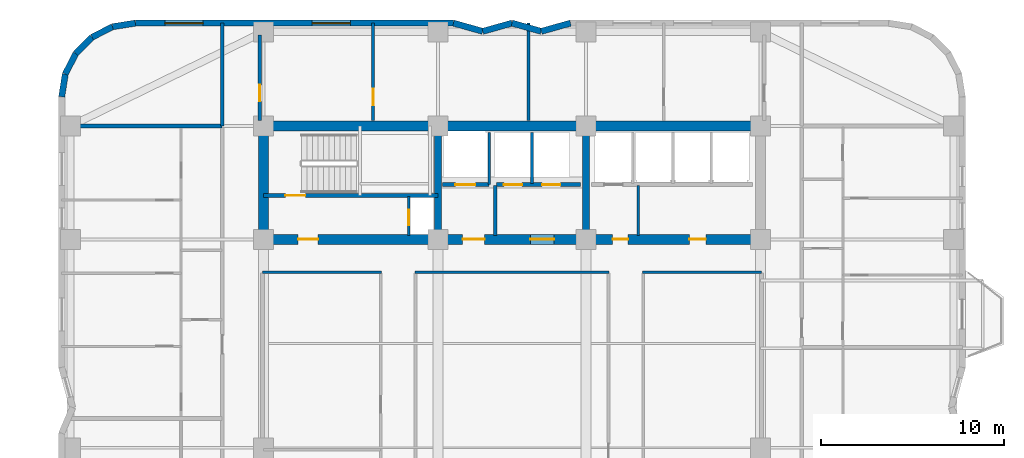
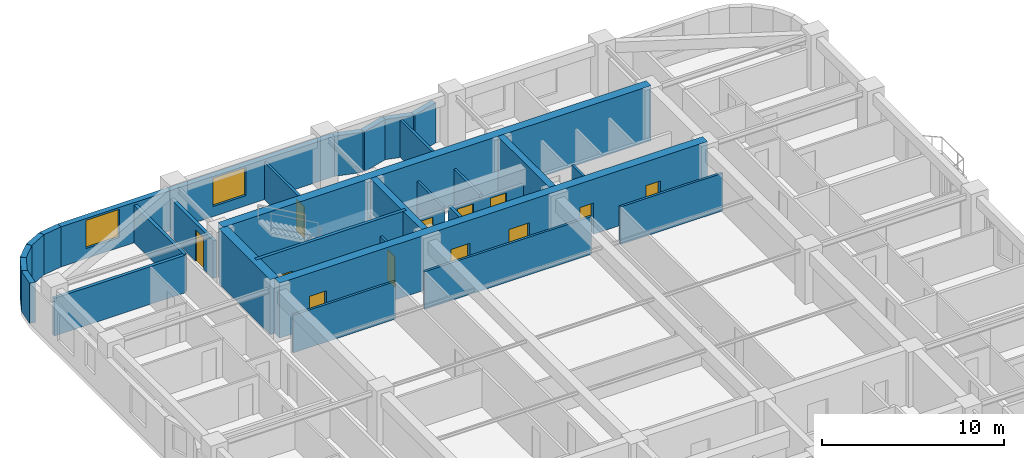
# One storey, part 6 of 9: 31 walls, 12 doors, 2 windows, 14 openings.
"""IFC4 building model written with IfcOpenShell, lengths in metres."""

import ifcopenshell
import ifcopenshell.guid

model = None  # the IFC model being written
_history = None  # IfcOwnerHistory: only IFC2X3 demands one
_inside = {}  # id of a spatial element -> (the spatial element, [elements in it])
_under = {}  # id of a project, library or spatial element -> (it, [spatial elements below it])
_declared = {}  # id of a project -> (the project, [libraries it declares])
_typed = {}  # id of a type object -> (the type object, [elements of that type])
_made_of = {}  # id of a material, layer set ... -> (it, [elements and type objects made of it])


def new_model(schema):
    """Start an empty IFC model of exactly this schema.

    Asked for "IFC4X3", IfcOpenShell would pick the latest addendum, in which some entities
    have other attributes; the version numbers below select the first issue.
    IFC2X3 requires an IfcOwnerHistory on every rooted entity: one is made here for all.
    """
    global model, _history
    if schema == "IFC4X3":
        model = ifcopenshell.file(schema_version=(4, 3, 0, 0))
    else:
        model = ifcopenshell.file(schema=schema)
    _inside.clear()
    _under.clear()
    _declared.clear()
    _typed.clear()
    _made_of.clear()
    _history = None
    if model.schema == "IFC2X3":
        org = make("IfcOrganization", Name="unknown")
        user = make(
            "IfcPersonAndOrganization",
            ThePerson=make("IfcPerson", FamilyName="unknown"),
            TheOrganization=org,
        )
        app = make(
            "IfcApplication",
            ApplicationDeveloper=org,
            Version="unknown",
            ApplicationFullName="unknown",
            ApplicationIdentifier="unknown",
        )
        _history = make(
            "IfcOwnerHistory",
            OwningUser=user,
            OwningApplication=app,
            ChangeAction="ADDED",
            CreationDate=0,
        )
    return model


def make(cls, **values):
    """One entity of the class cls with the attributes given. An attribute that is None is left unset."""
    return model.create_entity(
        cls, **{name: value for name, value in values.items() if value is not None}
    )


def rooted(cls, **values):
    """An entity with a GlobalId (a new one), such as an element, a storey or a relation."""
    return make(cls, GlobalId=ifcopenshell.guid.new(), OwnerHistory=_history, **values)


def si_unit(unit_type, name, prefix=None):
    """IfcSIUnit, for example si_unit("LENGTHUNIT", "METRE", prefix="MILLI")."""
    return make("IfcSIUnit", UnitType=unit_type, Prefix=prefix, Name=name)


def assignment(units):
    """IfcUnitAssignment: the units of a project."""
    return None if units is None else make("IfcUnitAssignment", Units=units)


def point(xyz):
    """IfcCartesianPoint."""
    return None if xyz is None else make("IfcCartesianPoint", Coordinates=xyz)


def direction(xyz):
    """IfcDirection."""
    return None if xyz is None else make("IfcDirection", DirectionRatios=xyz)


def frame(location, z_axis=None, x_axis=None):
    """IfcAxis2Placement3D, a coordinate frame: its origin and axes. An axis left out is left unset."""
    return make(
        "IfcAxis2Placement3D",
        Location=point(location),
        Axis=direction(z_axis),
        RefDirection=direction(x_axis),
    )


def frame_2d(location, x_axis=None):
    """IfcAxis2Placement2D, a coordinate frame in the plane: its origin and x axis."""
    return make(
        "IfcAxis2Placement2D", Location=point(location), RefDirection=direction(x_axis)
    )


def origin():
    """The frame at (0, 0, 0) with its axes left unset."""
    return frame((0.0, 0.0, 0.0))


def place(relative_to, where):
    """IfcLocalPlacement: puts the frame where relative to a parent placement (None: the world)."""
    return make(
        "IfcLocalPlacement", PlacementRelTo=relative_to, RelativePlacement=where
    )


def context(
    kind, dimensions, precision=None, world=None, true_north=None, identifier=None
):
    """IfcGeometricRepresentationContext, for example the 3D "Model" context."""
    return make(
        "IfcGeometricRepresentationContext",
        ContextIdentifier=identifier,
        ContextType=kind,
        CoordinateSpaceDimension=dimensions,
        Precision=precision,
        WorldCoordinateSystem=world,
        TrueNorth=true_north,
    )


def subcontext(parent, identifier, kind, view, scale=None):
    """IfcGeometricRepresentationSubContext, for example "Body" below "Model"."""
    return make(
        "IfcGeometricRepresentationSubContext",
        ContextIdentifier=identifier,
        ContextType=kind,
        ParentContext=parent,
        TargetScale=scale,
        TargetView=view,
    )


def project(units=None, contexts=None):
    """IfcProject with its units and contexts."""
    return rooted(
        "IfcProject",
        Name="project",
        RepresentationContexts=contexts,
        UnitsInContext=assignment(units),
    )


def spatial(cls, under=None, at=None, **own):
    """A site, building, storey or space (cls), placed at a placement, below another one or the project."""
    s = rooted(cls, ObjectPlacement=at, **own)
    if under is not None:
        _under.setdefault(under.id(), (under, []))[1].append(s)
    return s


def profile(cls, at=None, kind="AREA", **sizes):
    """A parametric profile (cls). Its sizes go by their IFC names, for example OverallWidth=200.0."""
    return make(cls, ProfileType=kind, Position=at, **sizes)


def rectangle(**sizes):
    """IfcRectangleProfileDef."""
    return profile("IfcRectangleProfileDef", **sizes)


def extrude(swept, where, along, depth):
    """IfcExtrudedAreaSolid: the profile swept, set in the frame where, extruded along a direction by depth."""
    return make(
        "IfcExtrudedAreaSolid",
        SweptArea=swept,
        Position=where,
        ExtrudedDirection=direction(along),
        Depth=depth,
    )


def shape(context_of_items, identifier, shape_type, items):
    """IfcShapeRepresentation: the items that make up one representation, for example the "Body"."""
    return make(
        "IfcShapeRepresentation",
        ContextOfItems=context_of_items,
        RepresentationIdentifier=identifier,
        RepresentationType=shape_type,
        Items=items,
    )


def material(Name=None, Category=None):
    """IfcMaterial."""
    return make("IfcMaterial", Name=Name, Category=Category)


def layer(
    of_material, thickness, ventilated=None, Name=None, Category=None, Priority=None
):
    """IfcMaterialLayer: one layer of a wall or slab, of a material (None: an air gap)."""
    return make(
        "IfcMaterialLayer",
        Material=of_material,
        LayerThickness=thickness,
        IsVentilated=ventilated,
        Name=Name,
        Category=Category,
        Priority=Priority,
    )


def layer_set(layers, Name=None):
    """IfcMaterialLayerSet."""
    return make("IfcMaterialLayerSet", MaterialLayers=layers, LayerSetName=Name)


def made_of(thing, what):
    """Note that an element or type object is made of a material, layer set ...; save() writes the relation."""
    if what is not None:
        _made_of.setdefault(what.id(), (what, []))[1].append(thing)
    return thing


def type_object(cls, material=None, **own):
    """A type object (cls), such as IfcWallType, which elements share."""
    return made_of(rooted(cls, **own), material)


def element(
    cls,
    number,
    at=None,
    inside=None,
    cuts=None,
    type_object=None,
    material=None,
    context=None,
    identifier="Body",
    shape_type=None,
    held_by="IfcProductDefinitionShape",
    body=None,
    shapes=None,
    **own,
):
    """One element of the class cls, such as IfcWall. Its Tag is "e" and its number.

    at: its placement. inside: the storey or other place that contains it. cuts: it is an
    opening in that element (IfcRelVoidsElement). A single representation is given by context,
    identifier, shape_type and body (its items); several are given by shapes. held_by: the class
    of the entity that holds the representations. save() writes the other relations.
    """
    e = rooted(cls, Tag="e%d" % number, ObjectPlacement=at, **own)
    if body is not None:
        shapes = [shape(context, identifier, shape_type, body)]
    if shapes is not None:
        e.Representation = make(held_by, Representations=shapes)
    if inside is not None:
        _inside.setdefault(inside.id(), (inside, []))[1].append(e)
    if cuts is not None:
        rooted(
            "IfcRelVoidsElement", RelatingBuildingElement=cuts, RelatedOpeningElement=e
        )
    if type_object is not None:
        _typed.setdefault(type_object.id(), (type_object, []))[1].append(e)
    return made_of(e, material)


def fill(opening, filler):
    """IfcRelFillsElement: the door or window that sits in an opening."""
    return rooted(
        "IfcRelFillsElement",
        RelatingOpeningElement=opening,
        RelatedBuildingElement=filler,
    )


def aggregate(whole, parts):
    """IfcRelAggregates: a whole, such as a stair, and the parts it consists of."""
    return rooted("IfcRelAggregates", RelatingObject=whole, RelatedObjects=parts)


def save(model, path):
    """Write the relations noted so far, then the file.

    IfcRelAggregates (storeys below a building ...), IfcRelContainedInSpatialStructure (elements
    in a storey), IfcRelDefinesByType, IfcRelAssociatesMaterial and IfcRelDeclares: one each for
    every whole, place, type object, material and project.
    """
    for whole, parts in _under.values():
        aggregate(whole, parts)
    for where, things in _inside.values():
        rooted(
            "IfcRelContainedInSpatialStructure",
            RelatedElements=things,
            RelatingStructure=where,
        )
    for kind, things in _typed.values():
        rooted("IfcRelDefinesByType", RelatedObjects=things, RelatingType=kind)
    for what, things in _made_of.values():
        rooted("IfcRelAssociatesMaterial", RelatedObjects=things, RelatingMaterial=what)
    for by, libraries in _declared.values():
        rooted("IfcRelDeclares", RelatingContext=by, RelatedDefinitions=libraries)
    model.write(path)


model = new_model("IFC4")

# Units and contexts
model_context = context("Model", 3, precision=1e-05, world=origin(), true_north=direction((0.0, 1.0)))
body_context = subcontext(model_context, "Body", "Model", "MODEL_VIEW")
ifc_project = project(units=[si_unit("LENGTHUNIT", "METRE"), si_unit("AREAUNIT", "SQUARE_METRE"), si_unit("VOLUMEUNIT", "CUBIC_METRE"), si_unit("PLANEANGLEUNIT", "RADIAN"), si_unit("MASSUNIT", "GRAM", prefix="KILO")], contexts=[model_context])

# Site, building, storey
site_placement = place(None, origin())
site = spatial("IfcSite", under=ifc_project, at=site_placement, CompositionType="ELEMENT")
building_placement = place(site_placement, origin())
building = spatial("IfcBuilding", under=site, at=building_placement, Name="Svetorya Sky Lyceum", CompositionType="ELEMENT")
storey_placement = place(building_placement, frame((0.0, 0.0, 88.300048828125)))
storey = spatial("IfcBuildingStorey", under=building, at=storey_placement, Name="L21", CompositionType="ELEMENT", Elevation=88.300048828125)

# Walls
ifc_material_1 = material(Name="Concrete C40/50", Category="concrete")
ifc_layer_1 = layer(ifc_material_1, 0.39990234375)
ifc_layer_set_1 = layer_set([ifc_layer_1], Name="Concrete C40/50")
wall_type_1 = type_object("IfcWallType", Name="WL-CORE-400", PredefinedType="SHEAR", material=ifc_layer_set_1)
for number, where, z_axis, x_axis, name in (
    (1, (35.14990234375, 39.875, 0.0), (0.0, 0.0, 1.0), (0.0, 1.0, 0.0), "L21 NC Internal Shear Web WEB1"),
    (2, (43.25, 39.875, 0.0), (0.0, 0.0, 1.0), (0.0, 1.0, 0.0), "L21 NC Internal Shear Web WEB2"),
):
    element("IfcWall", number, at=place(storey_placement, frame(where, z_axis=z_axis, x_axis=x_axis)), inside=storey, type_object=wall_type_1, Name=name, PredefinedType="SHEAR", context=body_context, shape_type="SweptSolid", body=[
        extrude(rectangle(XDim=5.64990234375, YDim=0.39990234375, at=frame_2d((2.824951171875, 0.0))), origin(), (0.0, 0.0, 1.0), 3.699951171875),
    ])
ifc_material_2 = material(Name="Concrete C60/75", Category="concrete")
ifc_layer_2 = layer(ifc_material_2, 0.550048828125)
ifc_layer_set_2 = layer_set([ifc_layer_2], Name="Concrete C60/75")
wall_type_2 = type_object("IfcWallType", Name="WL-CORE-550", PredefinedType="SHEAR", material=ifc_layer_set_2)
wall_1_placement = place(storey_placement, frame((25.60009765625, 45.800048828125, 0.0), z_axis=(0.0, 0.0, 1.0), x_axis=(1.0, 0.0, 0.0)))
element("IfcWall", 3, at=wall_1_placement, inside=storey, type_object=wall_type_2, Name="L21 NC Outer Core Shear Wall", PredefinedType="SHEAR", context=body_context, shape_type="SweptSolid", body=[
    extrude(rectangle(XDim=27.199951171875, YDim=0.550048828125, at=frame_2d((13.60009765625, 0.0))), origin(), (0.0, 0.0, 1.0), 3.699951171875),
])
wall_2_placement = place(storey_placement, frame((25.60009765625, 39.875, 0.0), z_axis=(0.0, 0.0, 1.0), x_axis=(0.0, 1.0, 0.0)))
element("IfcWall", 4, at=wall_2_placement, inside=storey, type_object=wall_type_2, Name="L21 NC West Core Shear Wall", PredefinedType="SHEAR", context=body_context, shape_type="SweptSolid", body=[
    extrude(rectangle(XDim=5.64990234375, YDim=0.550048828125, at=frame_2d((2.824951171875, 0.0))), origin(), (0.0, 0.0, 1.0), 3.699951171875),
])

# Wall, openings, doors
wall_3_placement = place(storey_placement, frame((52.800048828125, 39.60009765625, 0.0), z_axis=(0.0, 0.0, 1.0), x_axis=(-1.0, 0.0, 0.0)))
wall_3 = element("IfcWall", 5, at=wall_3_placement, inside=storey, type_object=wall_type_2, Name="L21 NC Inner Core Shear Wall", PredefinedType="SHEAR", context=body_context, shape_type="SweptSolid", body=[
    extrude(rectangle(XDim=27.199951171875, YDim=0.550048828125, at=frame_2d((13.60009765625, 0.0))), origin(), (0.0, 0.0, 1.0), 3.699951171875),
])
opening_1_placement = place(wall_3_placement, frame((24.199951171875, 0.0, 0.0)))
opening_1 = element("IfcOpeningElement", 6, at=opening_1_placement, cuts=wall_3, Name="Opening D-ST1", PredefinedType="OPENING", context=body_context, shape_type="SweptSolid", body=[
    extrude(rectangle(XDim=1.10009765625, YDim=2.14990234375, at=frame_2d((0.550048828125, 1.074951171875))), frame((0.0, 0.284912109375, 0.0), z_axis=(0.0, -1.0, 0.0), x_axis=(1.0, 0.0, 0.0)), (0.0, 0.0, 1.0), 0.570068359375),
])
opening_2_placement = place(wall_3_placement, frame((15.10009765625, 0.0, 0.0)))
opening_2 = element("IfcOpeningElement", 7, at=opening_2_placement, cuts=wall_3, Name="Opening D-FL1", PredefinedType="OPENING", context=body_context, shape_type="SweptSolid", body=[
    extrude(rectangle(XDim=1.199951171875, YDim=2.14990234375, at=frame_2d((0.60009765625, 1.074951171875))), frame((0.0, 0.284912109375, 0.0), z_axis=(0.0, -1.0, 0.0), x_axis=(1.0, 0.0, 0.0)), (0.0, 0.0, 1.0), 0.570068359375),
])
opening_3_placement = place(wall_3_placement, frame((11.300048828125, 0.0, 0.0)))
opening_3 = element("IfcOpeningElement", 8, at=opening_3_placement, cuts=wall_3, Name="Opening D-LB1", PredefinedType="OPENING", context=body_context, shape_type="SweptSolid", body=[
    extrude(rectangle(XDim=1.300048828125, YDim=2.199951171875, at=frame_2d((0.64990234375, 1.10009765625))), frame((0.0, 0.284912109375, 0.0), z_axis=(0.0, -1.0, 0.0), x_axis=(1.0, 0.0, 0.0)), (0.0, 0.0, 1.0), 0.570068359375),
])
opening_4_placement = place(wall_3_placement, frame((7.25, 0.0, 0.0)))
opening_4 = element("IfcOpeningElement", 9, at=opening_4_placement, cuts=wall_3, Name="Opening D-CWC1", PredefinedType="OPENING", context=body_context, shape_type="SweptSolid", body=[
    extrude(rectangle(XDim=0.85009765625, YDim=2.10009765625, at=frame_2d((0.425048828125, 1.050048828125))), frame((0.0, 0.284912109375, 0.0), z_axis=(0.0, -1.0, 0.0), x_axis=(1.0, 0.0, 0.0)), (0.0, 0.0, 1.0), 0.570068359375),
])
opening_5_placement = place(wall_3_placement, frame((3.0, 0.0, 0.0)))
opening_5 = element("IfcOpeningElement", 10, at=opening_5_placement, cuts=wall_3, Name="Opening D-RM1", PredefinedType="OPENING", context=body_context, shape_type="SweptSolid", body=[
    extrude(rectangle(XDim=0.89990234375, YDim=2.10009765625, at=frame_2d((0.449951171875, 1.050048828125))), frame((0.0, 0.284912109375, 0.0), z_axis=(0.0, -1.0, 0.0), x_axis=(1.0, 0.0, 0.0)), (0.0, 0.0, 1.0), 0.570068359375),
])
ifc_material_3 = material(Name="Fire-rated galvanized steel core service closet door", Category="steel")
door_type_1 = type_object("IfcDoorType", Name="DR-CWET-850", OperationType="SINGLE_SWING_LEFT", PredefinedType="DOOR", material=ifc_material_3)
door_1_placement = place(opening_4_placement, origin())
door_1 = element("IfcDoor", 11, at=door_1_placement, inside=storey, type_object=door_type_1, Name="L21 Mid-Rise Lift PM3 Lobby Door", OperationType="SINGLE_SWING_LEFT", OverallHeight=2.10009765625, OverallWidth=0.85009765625, PredefinedType="DOOR", context=body_context, shape_type="SweptSolid", body=[
    extrude(rectangle(XDim=0.85009765625, YDim=2.10009765625, at=frame_2d((0.425048828125, 1.050048828125))), frame((0.0, 0.02490234375, 0.0), z_axis=(0.0, -1.0, 0.0), x_axis=(1.0, 0.0, 0.0)), (0.0, 0.0, 1.0), 0.050048828125),
])
fill(opening_4, door_1)
ifc_material_4 = material(Name="Powder-coated insulated galvanized stair fire door")
door_type_2 = type_object("IfcDoorType", Name="DR-FIRE-1100", OperationType="SINGLE_SWING_LEFT", PredefinedType="DOOR", material=ifc_material_4)
door_2_placement = place(opening_1_placement, origin())
door_2 = element("IfcDoor", 12, at=door_2_placement, inside=storey, type_object=door_type_2, Name="L21 North Stair Airlock Door", OperationType="SINGLE_SWING_LEFT", OverallHeight=2.14990234375, OverallWidth=1.10009765625, PredefinedType="DOOR", context=body_context, shape_type="SweptSolid", body=[
    extrude(rectangle(XDim=1.10009765625, YDim=2.14990234375, at=frame_2d((0.550048828125, 1.074951171875))), frame((0.0, 0.02490234375, 0.0), z_axis=(0.0, -1.0, 0.0), x_axis=(1.0, 0.0, 0.0)), (0.0, 0.0, 1.0), 0.050048828125),
])
fill(opening_1, door_2)
ifc_material_5 = material(Name="Powder-coated insulated galvanized fire door")
door_type_3 = type_object("IfcDoorType", Name="DR-FIRE-1200", OperationType="SINGLE_SWING_LEFT", PredefinedType="DOOR", material=ifc_material_5)
door_3_placement = place(opening_2_placement, origin())
door_3 = element("IfcDoor", 13, at=door_3_placement, inside=storey, type_object=door_type_3, Name="L21 North Firefighting Lift Lobby Door", OperationType="SINGLE_SWING_RIGHT", OverallHeight=2.14990234375, OverallWidth=1.199951171875, PredefinedType="DOOR", context=body_context, shape_type="SweptSolid", body=[
    extrude(rectangle(XDim=1.199951171875, YDim=2.14990234375, at=frame_2d((0.60009765625, 1.074951171875))), frame((0.0, 0.02490234375, 0.0), z_axis=(0.0, -1.0, 0.0), x_axis=(1.0, 0.0, 0.0)), (0.0, 0.0, 1.0), 0.050048828125),
])
fill(opening_2, door_3)
ifc_material_6 = material(Name="Lacquered birch veneer internal door")
door_type_4 = type_object("IfcDoorType", Name="DR-INT-900", OperationType="SINGLE_SWING_LEFT", PredefinedType="DOOR", material=ifc_material_6)
door_4_placement = place(opening_5_placement, origin())
door_4 = element("IfcDoor", 14, at=door_4_placement, inside=storey, type_object=door_type_4, Name="L21 Mid-Rise Store Door", OperationType="SINGLE_SWING_RIGHT", OverallHeight=2.10009765625, OverallWidth=0.89990234375, PredefinedType="DOOR", context=body_context, shape_type="SweptSolid", body=[
    extrude(rectangle(XDim=0.89990234375, YDim=2.10009765625, at=frame_2d((0.449951171875, 1.050048828125))), frame((0.0, 0.02490234375, 0.0), z_axis=(0.0, -1.0, 0.0), x_axis=(1.0, 0.0, 0.0)), (0.0, 0.0, 1.0), 0.050048828125),
])
fill(opening_5, door_4)
ifc_material_7 = material(Name="Glazed fire-rated aluminium lobby door", Category="aluminium")
door_type_5 = type_object("IfcDoorType", Name="DR-LOB-1300", OperationType="SINGLE_SWING_LEFT", PredefinedType="DOOR", material=ifc_material_7)
door_5_placement = place(opening_3_placement, origin())
door_5 = element("IfcDoor", 15, at=door_5_placement, inside=storey, type_object=door_type_5, Name="L21 Mid-Rise Lift Lobby West Door", OperationType="SINGLE_SWING_LEFT", OverallHeight=2.199951171875, OverallWidth=1.300048828125, PredefinedType="DOOR", context=body_context, shape_type="SweptSolid", body=[
    extrude(rectangle(XDim=1.300048828125, YDim=2.199951171875, at=frame_2d((0.64990234375, 1.10009765625))), frame((0.0, 0.02490234375, 0.0), z_axis=(0.0, -1.0, 0.0), x_axis=(1.0, 0.0, 0.0)), (0.0, 0.0, 1.0), 0.050048828125),
])
fill(opening_3, door_5)

# Walls
ifc_material_8 = material(Name="Putilovo limestone rainscreen on autoclaved cellular masonry", Category="masonry")
ifc_layer_3 = layer(ifc_material_8, 0.340087890625)
ifc_layer_set_3 = layer_set([ifc_layer_3], Name="Putilovo limestone rainscreen on autoclaved cellular masonry")
wall_type_3 = type_object("IfcWallType", Name="WL-EXT-340", PredefinedType="SOLIDWALL", material=ifc_layer_set_3)
wall_4_placement = place(storey_placement, frame((42.39990234375, 51.429931640625, 0.0), z_axis=(0.0, 0.0, 1.0), x_axis=(-0.962652136636, -0.270741322725, 0.0)))
element("IfcWall", 16, at=wall_4_placement, inside=storey, type_object=wall_type_3, Name="L21 Limestone Exterior Wall 30M", PredefinedType="SOLIDWALL", context=body_context, shape_type="SweptSolid", body=[
    extrude(rectangle(XDim=1.661865234375, YDim=0.340087890625, at=frame_2d((0.8310546875, 0.0))), origin(), (0.0, 0.0, 1.0), 2.699951171875),
])
wall_5_placement = place(storey_placement, frame((40.800048828125, 50.97998046875, 0.0), z_axis=(0.0, 0.0, 1.0), x_axis=(-0.962662902433, 0.270703040766, 0.0)))
element("IfcWall", 17, at=wall_5_placement, inside=storey, type_object=wall_type_3, Name="L21 Limestone Exterior Wall 31M", PredefinedType="SOLIDWALL", context=body_context, shape_type="SweptSolid", body=[
    extrude(rectangle(XDim=1.662109375, YDim=0.340087890625, at=frame_2d((0.8310546875, 0.0))), origin(), (0.0, 0.0, 1.0), 2.699951171875),
])
wall_6_placement = place(storey_placement, frame((39.199951171875, 51.429931640625, 0.0), z_axis=(0.0, 0.0, 1.0), x_axis=(-0.962652136636, -0.270741322725, 0.0)))
element("IfcWall", 18, at=wall_6_placement, inside=storey, type_object=wall_type_3, Name="L21 Limestone Exterior Wall 32M", PredefinedType="SOLIDWALL", context=body_context, shape_type="SweptSolid", body=[
    extrude(rectangle(XDim=1.661865234375, YDim=0.340087890625, at=frame_2d((0.8310546875, 0.0))), origin(), (0.0, 0.0, 1.0), 2.699951171875),
])
wall_7_placement = place(storey_placement, frame((37.60009765625, 50.97998046875, 0.0), z_axis=(0.0, 0.0, 1.0), x_axis=(-0.962662902433, 0.270703040766, 0.0)))
element("IfcWall", 19, at=wall_7_placement, inside=storey, type_object=wall_type_3, Name="L21 Limestone Exterior Wall 33M", PredefinedType="SOLIDWALL", context=body_context, shape_type="SweptSolid", body=[
    extrude(rectangle(XDim=1.662109375, YDim=0.340087890625, at=frame_2d((0.8310546875, 0.0))), origin(), (0.0, 0.0, 1.0), 2.699951171875),
])

# Wall, openings, windows
wall_8_placement = place(storey_placement, frame((36.0, 51.429931640625, 0.0), z_axis=(0.0, 0.0, 1.0), x_axis=(-1.0, 0.0, 0.0)))
wall_8 = element("IfcWall", 20, at=wall_8_placement, inside=storey, type_object=wall_type_3, Name="L21 Limestone Exterior Wall 34M", PredefinedType="SOLIDWALL", context=body_context, shape_type="SweptSolid", body=[
    extrude(rectangle(XDim=17.39990234375, YDim=0.340087890625, at=frame_2d((8.699951171875, 0.0))), origin(), (0.0, 0.0, 1.0), 2.699951171875),
])
opening_6_placement = place(wall_8_placement, frame((5.637451171875, 0.0, 0.679931640625)))
opening_6 = element("IfcOpeningElement", 21, at=opening_6_placement, cuts=wall_8, Name="Opening W-R0", PredefinedType="OPENING", context=body_context, shape_type="SweptSolid", body=[
    extrude(rectangle(XDim=2.10009765625, YDim=1.89990234375, at=frame_2d((1.050048828125, 0.949951171875))), frame((0.0, 0.179931640625, 0.0), z_axis=(0.0, -1.0, 0.0), x_axis=(1.0, 0.0, 0.0)), (0.0, 0.0, 1.0), 0.360107421875),
])
opening_7_placement = place(wall_8_placement, frame((13.6875, 0.0, 0.679931640625)))
opening_7 = element("IfcOpeningElement", 22, at=opening_7_placement, cuts=wall_8, Name="Opening W-R0", PredefinedType="OPENING", context=body_context, shape_type="SweptSolid", body=[
    extrude(rectangle(XDim=2.10009765625, YDim=1.89990234375, at=frame_2d((1.050048828125, 0.949951171875))), frame((0.0, 0.179931640625, 0.0), z_axis=(0.0, -1.0, 0.0), x_axis=(1.0, 0.0, 0.0)), (0.0, 0.0, 1.0), 0.360107421875),
])
ifc_material_9 = material(Name="Thermally broken aluminium frame with triple low-E glazing", Category="aluminium")
window_type = type_object("IfcWindowType", Name="WN-RES-210", PartitioningType="TRIPLE_PANEL_VERTICAL", PredefinedType="WINDOW", material=ifc_material_9)
window_1_placement = place(opening_6_placement, origin())
window_1 = element("IfcWindow", 23, at=window_1_placement, inside=storey, type_object=window_type, Name="L21 Facade Window W-R0.34M.1", OverallHeight=1.89990234375, OverallWidth=2.10009765625, PartitioningType="SINGLE_PANEL", PredefinedType="WINDOW", context=body_context, shape_type="SweptSolid", body=[
    extrude(rectangle(XDim=2.10009765625, YDim=1.89990234375, at=frame_2d((1.050048828125, 0.949951171875))), frame((0.0, 0.030029296875, 0.0), z_axis=(0.0, -1.0, 0.0), x_axis=(1.0, 0.0, 0.0)), (0.0, 0.0, 1.0), 0.06005859375),
])
fill(opening_6, window_1)
window_2_placement = place(opening_7_placement, origin())
window_2 = element("IfcWindow", 24, at=window_2_placement, inside=storey, type_object=window_type, Name="L21 Facade Window W-R0.34M.2", OverallHeight=1.89990234375, OverallWidth=2.10009765625, PartitioningType="SINGLE_PANEL", PredefinedType="WINDOW", context=body_context, shape_type="SweptSolid", body=[
    extrude(rectangle(XDim=2.10009765625, YDim=1.89990234375, at=frame_2d((1.050048828125, 0.949951171875))), frame((0.0, 0.030029296875, 0.0), z_axis=(0.0, -1.0, 0.0), x_axis=(1.0, 0.0, 0.0)), (0.0, 0.0, 1.0), 0.06005859375),
])
fill(opening_7, window_2)

# Walls
wall_9_placement = place(storey_placement, frame((18.60009765625, 51.429931640625, 0.0), z_axis=(0.0, 0.0, 1.0), x_axis=(-0.98771582066, -0.156260864002, 0.0)))
element("IfcWall", 25, at=wall_9_placement, inside=storey, type_object=wall_type_3, Name="L21 Limestone Exterior Wall 35M", PredefinedType="SOLIDWALL", context=body_context, shape_type="SweptSolid", body=[
    extrude(rectangle(XDim=1.2607421875, YDim=0.340087890625, at=frame_2d((0.63037109375, 0.0))), origin(), (0.0, 0.0, 1.0), 2.699951171875),
])
for number, where, z_axis, x_axis, name in (
    (26, (17.354736328125, 51.23291015625, 0.0), (0.0, 0.0, 1.0), (-0.890993689142, -0.454015689056, 0.0), "L21 Limestone Exterior Wall 36M"),
    (27, (16.231201171875, 50.660400390625, 0.0), (0.0, 0.0, 1.0), (-0.707106781187, -0.707106781187, 0.0), "L21 Limestone Exterior Wall 37M"),
    (28, (15.339599609375, 49.768798828125, 0.0), (0.0, 0.0, 1.0), (-0.454015689056, -0.890993689142, 0.0), "L21 Limestone Exterior Wall 38M"),
):
    element("IfcWall", number, at=place(storey_placement, frame(where, z_axis=z_axis, x_axis=x_axis)), inside=storey, type_object=wall_type_3, Name=name, PredefinedType="SOLIDWALL", context=body_context, shape_type="SweptSolid", body=[
        extrude(rectangle(XDim=1.260986328125, YDim=0.340087890625, at=frame_2d((0.63037109375, 0.0))), origin(), (0.0, 0.0, 1.0), 2.699951171875),
    ])
wall_10_placement = place(storey_placement, frame((14.76708984375, 48.645263671875, 0.0), z_axis=(0.0, 0.0, 1.0), x_axis=(-0.156260864002, -0.98771582066, 0.0)))
element("IfcWall", 29, at=wall_10_placement, inside=storey, type_object=wall_type_3, Name="L21 Limestone Exterior Wall 39M", PredefinedType="SOLIDWALL", context=body_context, shape_type="SweptSolid", body=[
    extrude(rectangle(XDim=1.2607421875, YDim=0.340087890625, at=frame_2d((0.63037109375, 0.0))), origin(), (0.0, 0.0, 1.0), 2.699951171875),
])

# Wall, opening, door
ifc_material_10 = material(Name="Autoclaved cellular masonry blockwork with acoustic render", Category="masonry")
ifc_layer_4 = layer(ifc_material_10, 0.14990234375)
ifc_layer_set_4 = layer_set([ifc_layer_4], Name="Autoclaved cellular masonry blockwork with acoustic render")
wall_type_4 = type_object("IfcWallType", Name="WL-PART-150", PredefinedType="PARTITIONING", material=ifc_layer_set_4)
wall_11_placement = place(storey_placement, frame((33.550048828125, 39.820068359375, 0.0), z_axis=(0.0, 0.0, 1.0), x_axis=(0.0, 1.0, 0.0)))
wall_11 = element("IfcWall", 30, at=wall_11_placement, inside=storey, type_object=wall_type_4, Name="L21 Interior Partition NC-RSRW", PredefinedType="PARTITIONING", context=body_context, shape_type="SweptSolid", body=[
    extrude(rectangle(XDim=2.1298828125, YDim=0.14990234375, at=frame_2d((1.06494140625, 0.0))), origin(), (0.0, 0.0, 1.0), 2.530029296875),
])
opening_8_placement = place(wall_11_placement, frame((0.550048828125, 0.0, 0.0)))
opening_8 = element("IfcOpeningElement", 31, at=opening_8_placement, cuts=wall_11, Name="Opening D-SH1", PredefinedType="OPENING", context=body_context, shape_type="SweptSolid", body=[
    extrude(rectangle(XDim=0.85009765625, YDim=2.050048828125, at=frame_2d((0.425048828125, 1.02490234375))), frame((0.0, 0.0849609375, 0.0), z_axis=(0.0, -1.0, 0.0), x_axis=(1.0, 0.0, 0.0)), (0.0, 0.0, 1.0), 0.169921875),
])
ifc_material_11 = material(Name="Insulated galvanized riser inspection fire door")
door_type_6 = type_object("IfcDoorType", Name="DR-SHFT-850", OperationType="SINGLE_SWING_LEFT", PredefinedType="TRAPDOOR", material=ifc_material_11)
door_6_placement = place(opening_8_placement, origin())
door_6 = element("IfcDoor", 32, at=door_6_placement, inside=storey, type_object=door_type_6, Name="L21 North Riser Access Door", OperationType="SINGLE_SWING_LEFT", OverallHeight=2.050048828125, OverallWidth=0.85009765625, PredefinedType="TRAPDOOR", context=body_context, shape_type="SweptSolid", body=[
    extrude(rectangle(XDim=0.85009765625, YDim=2.050048828125, at=frame_2d((0.425048828125, 1.02490234375))), frame((0.0, 0.02490234375, 0.0), z_axis=(0.0, -1.0, 0.0), x_axis=(1.0, 0.0, 0.0)), (0.0, 0.0, 1.0), 0.050048828125),
])
fill(opening_8, door_6)

# Walls
wall_12_placement = place(storey_placement, frame((37.949951171875, 42.60009765625, 0.0), z_axis=(0.0, 0.0, 1.0), x_axis=(0.0, 1.0, 0.0)))
element("IfcWall", 33, at=wall_12_placement, inside=storey, type_object=wall_type_4, Name="L21 Interior Partition NC-FL1SIDE", PredefinedType="PARTITIONING", context=body_context, shape_type="SweptSolid", body=[
    extrude(rectangle(XDim=2.849853515625, YDim=0.14990234375, at=frame_2d((1.4248046875, 0.0))), origin(), (0.0, 0.0, 1.0), 2.530029296875),
])
wall_13_placement = place(storey_placement, frame((40.300048828125, 42.64990234375, 0.0), z_axis=(0.0, 0.0, 1.0), x_axis=(0.0, 1.0, 0.0)))
element("IfcWall", 34, at=wall_13_placement, inside=storey, type_object=wall_type_4, Name="L21 Interior Partition NC-PM-D1", PredefinedType="PARTITIONING", context=body_context, shape_type="SweptSolid", body=[
    extrude(rectangle(XDim=2.800048828125, YDim=0.14990234375, at=frame_2d((1.39990234375, 0.0))), origin(), (0.0, 0.0, 1.0), 2.530029296875),
])
wall_14_placement = place(storey_placement, frame((46.10009765625, 39.820068359375, 0.0), z_axis=(0.0, 0.0, 1.0), x_axis=(0.0, 1.0, 0.0)))
element("IfcWall", 35, at=wall_14_placement, inside=storey, type_object=wall_type_4, Name="L21 Interior Partition NC-PM3SEP", PredefinedType="PARTITIONING", context=body_context, shape_type="SweptSolid", body=[
    extrude(rectangle(XDim=2.72998046875, YDim=0.14990234375, at=frame_2d((1.364990234375, 0.0))), origin(), (0.0, 0.0, 1.0), 2.530029296875),
])
wall_15_placement = place(storey_placement, frame((25.550048828125, 37.800048828125, 0.0), z_axis=(0.0, 0.0, 1.0), x_axis=(1.0, 0.0, 0.0)))
element("IfcWall", 36, at=wall_15_placement, inside=storey, type_object=wall_type_4, Name="L21 Interior Partition RL-CN-W", PredefinedType="PARTITIONING", context=body_context, shape_type="SweptSolid", body=[
    extrude(rectangle(XDim=6.5, YDim=0.14990234375, at=frame_2d((3.25, 0.0))), origin(), (0.0, 0.0, 1.0), 2.530029296875),
])
wall_16_placement = place(storey_placement, frame((33.89990234375, 37.800048828125, 0.0), z_axis=(0.0, 0.0, 1.0), x_axis=(1.0, 0.0, 0.0)))
element("IfcWall", 37, at=wall_16_placement, inside=storey, type_object=wall_type_4, Name="L21 Interior Partition RL-CN-M", PredefinedType="PARTITIONING", context=body_context, shape_type="SweptSolid", body=[
    extrude(rectangle(XDim=10.60009765625, YDim=0.14990234375, at=frame_2d((5.300048828125, 0.0))), origin(), (0.0, 0.0, 1.0), 2.530029296875),
])
wall_17_placement = place(storey_placement, frame((46.35009765625, 37.800048828125, 0.0), z_axis=(0.0, 0.0, 1.0), x_axis=(1.0, 0.0, 0.0)))
element("IfcWall", 38, at=wall_17_placement, inside=storey, type_object=wall_type_4, Name="L21 Interior Partition RL-CN-E", PredefinedType="PARTITIONING", context=body_context, shape_type="SweptSolid", body=[
    extrude(rectangle(XDim=6.5, YDim=0.14990234375, at=frame_2d((3.25, 0.0))), origin(), (0.0, 0.0, 1.0), 2.530029296875),
])

# Wall, opening, door
wall_18_placement = place(storey_placement, frame((31.60009765625, 46.10009765625, 0.0), z_axis=(0.0, 0.0, 1.0), x_axis=(0.0, 1.0, 0.0)))
wall_18 = element("IfcWall", 39, at=wall_18_placement, inside=storey, type_object=wall_type_4, Name="L21 Interior Partition N4-D1", PredefinedType="PARTITIONING", context=body_context, shape_type="SweptSolid", body=[
    extrude(rectangle(XDim=5.329833984375, YDim=0.14990234375, at=frame_2d((2.6650390625, 0.0))), origin(), (0.0, 0.0, 1.0), 2.530029296875),
])
opening_9_placement = place(wall_18_placement, frame((0.85009765625, 0.0, 0.0)))
opening_9 = element("IfcOpeningElement", 40, at=opening_9_placement, cuts=wall_18, Name="Opening D-RM1", PredefinedType="OPENING", context=body_context, shape_type="SweptSolid", body=[
    extrude(rectangle(XDim=0.89990234375, YDim=2.10009765625, at=frame_2d((0.449951171875, 1.050048828125))), frame((0.0, 0.0849609375, 0.0), z_axis=(0.0, -1.0, 0.0), x_axis=(1.0, 0.0, 0.0)), (0.0, 0.0, 1.0), 0.169921875),
])
door_7_placement = place(opening_9_placement, origin())
door_7 = element("IfcDoor", 41, at=door_7_placement, inside=storey, type_object=door_type_4, Name="L21 North Suite Door 1", OperationType="SINGLE_SWING_RIGHT", OverallHeight=2.10009765625, OverallWidth=0.89990234375, PredefinedType="DOOR", context=body_context, shape_type="SweptSolid", body=[
    extrude(rectangle(XDim=0.89990234375, YDim=2.10009765625, at=frame_2d((0.449951171875, 1.050048828125))), frame((0.0, 0.02490234375, 0.0), z_axis=(0.0, -1.0, 0.0), x_axis=(1.0, 0.0, 0.0)), (0.0, 0.0, 1.0), 0.050048828125),
])
fill(opening_9, door_7)

# Wall
wall_19_placement = place(storey_placement, frame((40.10009765625, 46.10009765625, 0.0), z_axis=(0.0, 0.0, 1.0), x_axis=(0.0, 1.0, 0.0)))
element("IfcWall", 42, at=wall_19_placement, inside=storey, type_object=wall_type_4, Name="L21 Interior Partition N4-D2", PredefinedType="PARTITIONING", context=body_context, shape_type="SweptSolid", body=[
    extrude(rectangle(XDim=5.329833984375, YDim=0.14990234375, at=frame_2d((2.6650390625, 0.0))), origin(), (0.0, 0.0, 1.0), 2.530029296875),
])

# Wall, opening, door
ifc_material_12 = material(Name="Autoclaved cellular masonry blockwork with gypsum plaster", Category="masonry")
ifc_layer_5 = layer(ifc_material_12, 0.199951171875)
ifc_layer_set_5 = layer_set([ifc_layer_5], Name="Autoclaved cellular masonry blockwork with gypsum plaster")
wall_type_5 = type_object("IfcWallType", Name="WL-PART-200", PredefinedType="PARTITIONING", material=ifc_layer_set_5)
wall_20_placement = place(storey_placement, frame((37.949951171875, 42.60009765625, 0.0), z_axis=(0.0, 0.0, 1.0), x_axis=(-1.0, 0.0, 0.0)))
wall_20 = element("IfcWall", 43, at=wall_20_placement, inside=storey, type_object=wall_type_5, Name="L21 Interior Partition NC-FL1W", PredefinedType="PARTITIONING", context=body_context, shape_type="SweptSolid", body=[
    extrude(rectangle(XDim=2.550048828125, YDim=0.199951171875, at=frame_2d((1.27490234375, 0.0))), origin(), (0.0, 0.0, 1.0), 2.300048828125),
])
opening_10_placement = place(wall_20_placement, frame((0.75, 0.0, 0.0)))
opening_10 = element("IfcOpeningElement", 44, at=opening_10_placement, cuts=wall_20, Name="Opening LD-FL", PredefinedType="OPENING", context=body_context, shape_type="SweptSolid", body=[
    extrude(rectangle(XDim=1.10009765625, YDim=2.14990234375, at=frame_2d((0.550048828125, 1.074951171875))), frame((0.0, 0.10986328125, 0.0), z_axis=(0.0, -1.0, 0.0), x_axis=(1.0, 0.0, 0.0)), (0.0, 0.0, 1.0), 0.219970703125),
])
ifc_material_13 = material(Name="Fire-rated stainless AISI 304 firefighting lift landing door")
door_type_7 = type_object("IfcDoorType", Name="DR-LIFT-1100", OperationType="SLIDING_TO_LEFT", PredefinedType="DOOR", material=ifc_material_13)
door_8_placement = place(opening_10_placement, origin())
door_8 = element("IfcDoor", 45, at=door_8_placement, inside=storey, type_object=door_type_7, Name="L21 Firefighting Lift FL1 Landing Door", OperationType="SLIDING_TO_LEFT", OverallHeight=2.14990234375, OverallWidth=1.10009765625, PredefinedType="DOOR", context=body_context, shape_type="SweptSolid", body=[
    extrude(rectangle(XDim=1.10009765625, YDim=2.14990234375, at=frame_2d((0.550048828125, 1.074951171875))), frame((0.0, 0.02490234375, 0.0), z_axis=(0.0, -1.0, 0.0), x_axis=(1.0, 0.0, 0.0)), (0.0, 0.0, 1.0), 0.050048828125),
])
fill(opening_10, door_8)

# Wall
wall_21_placement = place(storey_placement, frame((38.280029296875, 39.820068359375, 0.0), z_axis=(0.0, 0.0, 1.0), x_axis=(0.0, 1.0, 0.0)))
element("IfcWall", 46, at=wall_21_placement, inside=storey, type_object=wall_type_5, Name="L21 Interior Partition NC-FFLDIV", PredefinedType="PARTITIONING", context=body_context, shape_type="SweptSolid", body=[
    extrude(rectangle(XDim=2.72998046875, YDim=0.199951171875, at=frame_2d((1.364990234375, 0.0))), origin(), (0.0, 0.0, 1.0), 2.530029296875),
])

# Wall, openings, doors
wall_22_placement = place(storey_placement, frame((42.949951171875, 42.60009765625, 0.0), z_axis=(0.0, 0.0, 1.0), x_axis=(-1.0, 0.0, 0.0)))
wall_22 = element("IfcWall", 47, at=wall_22_placement, inside=storey, type_object=wall_type_5, Name="L21 Interior Partition NC-PM12W", PredefinedType="PARTITIONING", context=body_context, shape_type="SweptSolid", body=[
    extrude(rectangle(XDim=4.599853515625, YDim=0.199951171875, at=frame_2d((2.2998046875, 0.0))), origin(), (0.0, 0.0, 1.0), 2.300048828125),
])
opening_11_placement = place(wall_22_placement, frame((3.199951171875, 0.0, 0.0)))
opening_11 = element("IfcOpeningElement", 48, at=opening_11_placement, cuts=wall_22, Name="Opening LD-P1", PredefinedType="OPENING", context=body_context, shape_type="SweptSolid", body=[
    extrude(rectangle(XDim=1.0, YDim=2.14990234375, at=frame_2d((0.5, 1.074951171875))), frame((0.0, 0.10986328125, 0.0), z_axis=(0.0, -1.0, 0.0), x_axis=(1.0, 0.0, 0.0)), (0.0, 0.0, 1.0), 0.219970703125),
])
opening_12_placement = place(wall_22_placement, frame((1.10009765625, 0.0, 0.0)))
opening_12 = element("IfcOpeningElement", 49, at=opening_12_placement, cuts=wall_22, Name="Opening LD-P1", PredefinedType="OPENING", context=body_context, shape_type="SweptSolid", body=[
    extrude(rectangle(XDim=1.0, YDim=2.14990234375, at=frame_2d((0.5, 1.074951171875))), frame((0.0, 0.10986328125, 0.0), z_axis=(0.0, -1.0, 0.0), x_axis=(1.0, 0.0, 0.0)), (0.0, 0.0, 1.0), 0.219970703125),
])
ifc_material_14 = material(Name="Champagne-anodized stainless passenger lift landing door")
door_type_8 = type_object("IfcDoorType", Name="DR-LIFT-1000", OperationType="SLIDING_TO_LEFT", PredefinedType="DOOR", material=ifc_material_14)
door_9_placement = place(opening_11_placement, origin())
door_9 = element("IfcDoor", 50, at=door_9_placement, inside=storey, type_object=door_type_8, Name="L21 Passenger Lift PM1 Landing Door", OperationType="SLIDING_TO_LEFT", OverallHeight=2.14990234375, OverallWidth=1.0, PredefinedType="DOOR", context=body_context, shape_type="SweptSolid", body=[
    extrude(rectangle(XDim=1.0, YDim=2.14990234375, at=frame_2d((0.5, 1.074951171875))), frame((0.0, 0.02490234375, 0.0), z_axis=(0.0, -1.0, 0.0), x_axis=(1.0, 0.0, 0.0)), (0.0, 0.0, 1.0), 0.050048828125),
])
fill(opening_11, door_9)
door_10_placement = place(opening_12_placement, origin())
door_10 = element("IfcDoor", 51, at=door_10_placement, inside=storey, type_object=door_type_8, Name="L21 Passenger Lift PM2 Landing Door", OperationType="SLIDING_TO_LEFT", OverallHeight=2.14990234375, OverallWidth=1.0, PredefinedType="DOOR", context=body_context, shape_type="SweptSolid", body=[
    extrude(rectangle(XDim=1.0, YDim=2.14990234375, at=frame_2d((0.5, 1.074951171875))), frame((0.0, 0.02490234375, 0.0), z_axis=(0.0, -1.0, 0.0), x_axis=(1.0, 0.0, 0.0)), (0.0, 0.0, 1.0), 0.050048828125),
])
fill(opening_12, door_10)

# Walls
wall_23_placement = place(storey_placement, frame((14.989990234375, 45.800048828125, 0.0), z_axis=(0.0, 0.0, 1.0), x_axis=(1.0, 0.0, 0.0)))
element("IfcWall", 52, at=wall_23_placement, inside=storey, type_object=wall_type_5, Name="L21 Interior Partition W-CAP-N", PredefinedType="PARTITIONING", context=body_context, shape_type="SweptSolid", body=[
    extrude(rectangle(XDim=8.360107421875, YDim=0.199951171875, at=frame_2d((4.18017578125, 0.0))), origin(), (0.0, 0.0, 1.0), 2.530029296875),
])
wall_24_placement = place(storey_placement, frame((23.35009765625, 45.800048828125, 0.0), z_axis=(0.0, 0.0, 1.0), x_axis=(0.0, 1.0, 0.0)))
element("IfcWall", 53, at=wall_24_placement, inside=storey, type_object=wall_type_5, Name="L21 Interior Partition WC-NW-END", PredefinedType="PARTITIONING", context=body_context, shape_type="SweptSolid", body=[
    extrude(rectangle(XDim=5.6298828125, YDim=0.199951171875, at=frame_2d((2.81494140625, 0.0))), origin(), (0.0, 0.0, 1.0), 2.530029296875),
])

# Wall, opening, door
wall_25_placement = place(storey_placement, frame((25.39990234375, 46.10009765625, 0.0), z_axis=(0.0, 0.0, 1.0), x_axis=(0.0, 1.0, 0.0)))
wall_25 = element("IfcWall", 54, at=wall_25_placement, inside=storey, type_object=wall_type_5, Name="L21 Interior Partition N4-EW", PredefinedType="PARTITIONING", context=body_context, shape_type="SweptSolid", body=[
    extrude(rectangle(XDim=4.679931640625, YDim=0.199951171875, at=frame_2d((2.33984375, 0.0))), origin(), (0.0, 0.0, 1.0), 2.530029296875),
])
opening_13_placement = place(wall_25_placement, frame((1.050048828125, 0.0, 0.0)))
opening_13 = element("IfcOpeningElement", 55, at=opening_13_placement, cuts=wall_25, Name="Opening D-RM1", PredefinedType="OPENING", context=body_context, shape_type="SweptSolid", body=[
    extrude(rectangle(XDim=0.89990234375, YDim=2.10009765625, at=frame_2d((0.449951171875, 1.050048828125))), frame((0.0, 0.10986328125, 0.0), z_axis=(0.0, -1.0, 0.0), x_axis=(1.0, 0.0, 0.0)), (0.0, 0.0, 1.0), 0.219970703125),
])
door_11_placement = place(opening_13_placement, origin())
door_11 = element("IfcDoor", 56, at=door_11_placement, inside=storey, type_object=door_type_4, Name="L21 NW Study Door", OperationType="SINGLE_SWING_RIGHT", OverallHeight=2.10009765625, OverallWidth=0.89990234375, PredefinedType="DOOR", context=body_context, shape_type="SweptSolid", body=[
    extrude(rectangle(XDim=0.89990234375, YDim=2.10009765625, at=frame_2d((0.449951171875, 1.050048828125))), frame((0.0, 0.02490234375, 0.0), z_axis=(0.0, -1.0, 0.0), x_axis=(1.0, 0.0, 0.0)), (0.0, 0.0, 1.0), 0.050048828125),
])
fill(opening_13, door_11)

ifc_material_15 = material(Name="Concrete C50/60", Category="concrete")
ifc_layer_6 = layer(ifc_material_15, 0.199951171875)
ifc_layer_set_6 = layer_set([ifc_layer_6], Name="Concrete C50/60")
wall_type_6 = type_object("IfcWallType", Name="WL-SHW-200", PredefinedType="SHEAR", material=ifc_layer_set_6)
wall_26_placement = place(storey_placement, frame((35.14990234375, 42.0, 0.0), z_axis=(0.0, 0.0, 1.0), x_axis=(-1.0, 0.0, 0.0)))
wall_26 = element("IfcWall", 57, at=wall_26_placement, inside=storey, type_object=wall_type_6, Name="L21 Structural Stair Shaft Wall NC-STW", PredefinedType="SHEAR", context=body_context, shape_type="SweptSolid", body=[
    extrude(rectangle(XDim=9.5498046875, YDim=0.199951171875, at=frame_2d((4.77490234375, 0.0))), origin(), (0.0, 0.0, 1.0), 3.699951171875),
])
opening_14_placement = place(wall_26_placement, frame((7.25, 0.0, 0.0)))
opening_14 = element("IfcOpeningElement", 58, at=opening_14_placement, cuts=wall_26, Name="Opening D-ST1", PredefinedType="OPENING", context=body_context, shape_type="SweptSolid", body=[
    extrude(rectangle(XDim=1.10009765625, YDim=2.14990234375, at=frame_2d((0.550048828125, 1.074951171875))), frame((0.0, 0.10986328125, 0.0), z_axis=(0.0, -1.0, 0.0), x_axis=(1.0, 0.0, 0.0)), (0.0, 0.0, 1.0), 0.219970703125),
])
door_12_placement = place(opening_14_placement, origin())
door_12 = element("IfcDoor", 59, at=door_12_placement, inside=storey, type_object=door_type_2, Name="L21 Stair ST-N Vestibule Fire Door", OperationType="SINGLE_SWING_RIGHT", OverallHeight=2.14990234375, OverallWidth=1.10009765625, PredefinedType="DOOR", context=body_context, shape_type="SweptSolid", body=[
    extrude(rectangle(XDim=1.10009765625, YDim=2.14990234375, at=frame_2d((0.550048828125, 1.074951171875))), frame((0.0, 0.02490234375, 0.0), z_axis=(0.0, -1.0, 0.0), x_axis=(1.0, 0.0, 0.0)), (0.0, 0.0, 1.0), 0.050048828125),
])
fill(opening_14, door_12)

save(model, "model.ifc")
